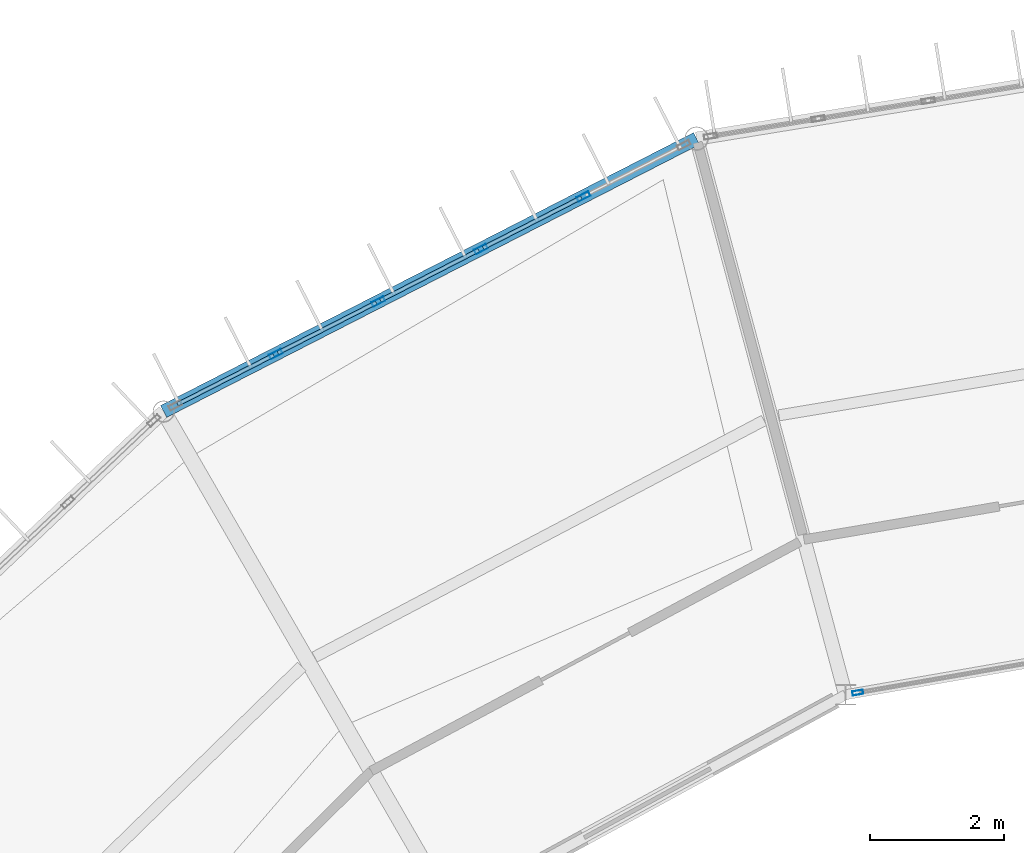
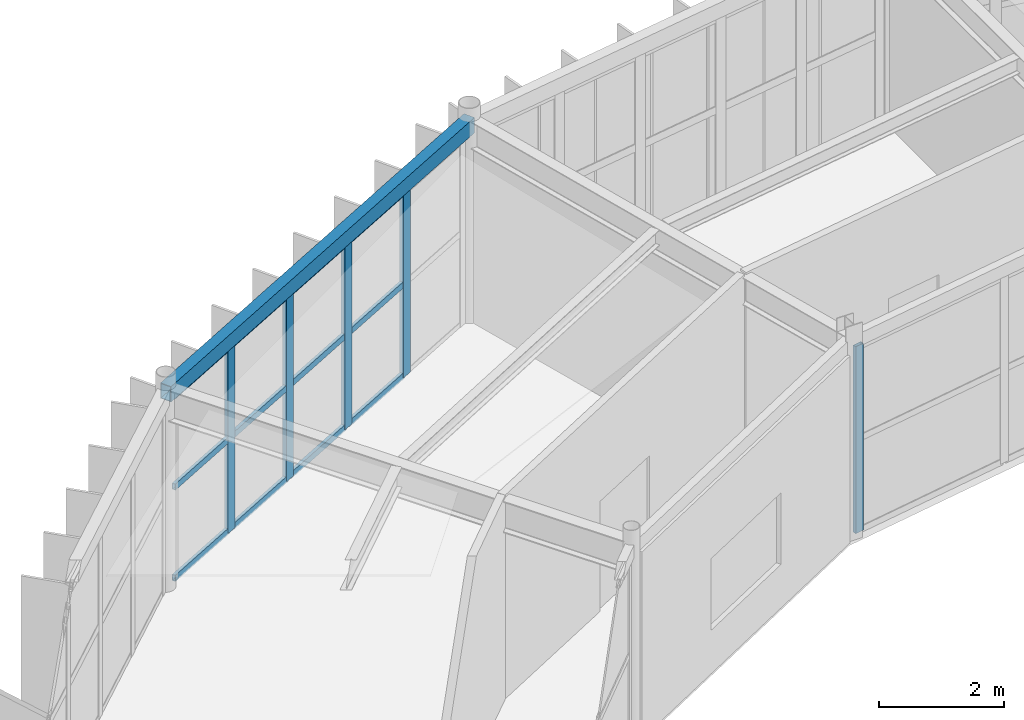
# One storey, part 78 of 148: 17 members, 1 beam, 2 elements without a shape of their own.
"""IFC4 building model written with IfcOpenShell, lengths in metres."""

from ifc_helpers import new_model, si_unit, direction, frame, origin, origin_2d, place, context, subcontext, project, spatial, hollow_rectangle, extrude, material, material_profile, profile_set, type_object, element, aggregate, save


model = new_model("IFC4")

# Units and contexts
model_context = context("Model", 3, precision=1e-05, world=origin(), true_north=direction((0.0, 1.0)))
body_context = subcontext(model_context, "Body", "Model", "MODEL_VIEW")
ifc_project = project(units=[si_unit("LENGTHUNIT", "METRE"), si_unit("AREAUNIT", "SQUARE_METRE"), si_unit("VOLUMEUNIT", "CUBIC_METRE"), si_unit("PLANEANGLEUNIT", "RADIAN"), si_unit("MASSUNIT", "GRAM", prefix="KILO")], contexts=[model_context])

# Site, building, storey
site_placement = place(None, origin())
site = spatial("IfcSite", under=ifc_project, at=site_placement, CompositionType="ELEMENT")
building_placement = place(site_placement, origin())
building = spatial("IfcBuilding", under=site, at=building_placement, Name="Karori Crest Natural Sciences Institute", CompositionType="ELEMENT")
storey_placement = place(building_placement, frame((0.0, 0.0, 4.89990234375)))
storey = spatial("IfcBuildingStorey", under=building, at=storey_placement, Name="L01", CompositionType="ELEMENT", Elevation=4.89990234375)

# Beam
ifc_material_1 = material(Name="Hollow structural steel AS/NZS 1163 Grade C350", Category="steel")
ifc_material_profile_1 = material_profile(ifc_material_1, hollow_rectangle(XDim=0.199951171875, YDim=0.300048828125, WallThickness=0.010009765625, at=origin_2d()), Name="RHS300x200x10")
ifc_profile_set_1 = profile_set([ifc_material_profile_1], Name="Hollow structural steel AS/NZS 1163 Grade C350")
beam_type = type_object("IfcBeamType", Name="BT-15", PredefinedType="SPANDREL", material=ifc_profile_set_1)
beam_placement = place(storey_placement, frame((57.85888671875, 89.309814453125, 3.7900390625), z_axis=(-0.890071733872, -0.455820478436, 0.0), x_axis=(0.455820478436, -0.890071733872, 0.0)))
element("IfcBeam", 1, at=beam_placement, inside=storey, type_object=beam_type, Name="Beam B-0207", PredefinedType="SPANDREL", context=body_context, shape_type="SweptSolid", body=[
    extrude(hollow_rectangle(XDim=0.199951171875, YDim=0.300048828125, WallThickness=0.010009765625, at=origin_2d()), origin(), (0.0, 0.0, 1.0), 8.94189453125),
])

# Curtain wall, member
ifc_material_2 = material(Name="Anodised architectural aluminium 6063-T6", Category="aluminium")
curtain_wall_type_1 = type_object("IfcCurtainWallType", Name="CWT-12", PredefinedType="NOTDEFINED", material=ifc_material_2)
curtain_wall_1_placement = place(storey_placement, origin())
curtain_wall_1 = element("IfcCurtainWall", 2, at=curtain_wall_1_placement, inside=storey, type_object=curtain_wall_type_1, Name="Curtain wall CW-0040", PredefinedType="NOTDEFINED")
ifc_material_profile_2 = material_profile(ifc_material_2, hollow_rectangle(XDim=0.06494140625, YDim=0.159912109375, WallThickness=0.00390625, at=origin_2d()), Name="CWM160x65x4")
ifc_profile_set_2 = profile_set([ifc_material_profile_2], Name="Anodised architectural aluminium 6063-T6")
member_type_1 = type_object("IfcMemberType", Name="CWM-01", PredefinedType="MULLION", material=ifc_profile_set_2)
member_1_placement = place(storey_placement, frame((60.267333984375, 81.03466796875, 0.0), z_axis=(0.0, 0.0, 1.0), x_axis=(0.171170381048, -0.985241442821, 0.0)))
member_1 = element("IfcMember", 3, at=member_1_placement, type_object=member_type_1, Name="CW-0040 mullion 3", PredefinedType="MULLION", context=body_context, shape_type="SweptSolid", body=[
    extrude(hollow_rectangle(XDim=0.06494140625, YDim=0.159912109375, WallThickness=0.00390625, at=origin_2d()), origin(), (0.0, 0.0, 1.0), 3.650146484375),
])
aggregate(curtain_wall_1, [member_1])

# Curtain wall, members
curtain_wall_type_2 = type_object("IfcCurtainWallType", Name="CWT-08", PredefinedType="NOTDEFINED", material=ifc_material_2)
curtain_wall_2_placement = place(storey_placement, origin())
curtain_wall_2 = element("IfcCurtainWall", 4, at=curtain_wall_2_placement, inside=storey, type_object=curtain_wall_type_2, Name="Curtain wall CW-0041", PredefinedType="NOTDEFINED")
ifc_material_profile_3 = material_profile(ifc_material_2, hollow_rectangle(XDim=0.074951171875, YDim=0.199951171875, WallThickness=0.0048828125, at=origin_2d()), Name="CWM200x75x5")
ifc_profile_set_3 = profile_set([ifc_material_profile_3], Name="Anodised architectural aluminium 6063-T6")
member_type_2 = type_object("IfcMemberType", Name="CWM-02", PredefinedType="MULLION", material=ifc_profile_set_3)
member_2_placement = place(storey_placement, frame((51.574462890625, 86.09130859375, 0.0), z_axis=(0.0, 0.0, 1.0), x_axis=(-0.455832988828, 0.890065326982, 0.0)))
member_2 = element("IfcMember", 5, at=member_2_placement, type_object=member_type_2, Name="CW-0041 mullion 2", PredefinedType="MULLION", context=body_context, shape_type="SweptSolid", body=[
    extrude(hollow_rectangle(XDim=0.074951171875, YDim=0.199951171875, WallThickness=0.0048828125, at=origin_2d()), origin(), (0.0, 0.0, 1.0), 3.625),
])
member_3_placement = place(storey_placement, frame((53.1064453125, 86.8759765625, 0.0), z_axis=(0.0, 0.0, 1.0), x_axis=(-0.455832988828, 0.890065326982, 0.0)))
member_3 = element("IfcMember", 6, at=member_3_placement, type_object=member_type_2, Name="CW-0041 mullion 3", PredefinedType="MULLION", context=body_context, shape_type="SweptSolid", body=[
    extrude(hollow_rectangle(XDim=0.074951171875, YDim=0.199951171875, WallThickness=0.0048828125, at=origin_2d()), origin(), (0.0, 0.0, 1.0), 3.625),
])
member_4_placement = place(storey_placement, frame((54.638427734375, 87.660400390625, 0.0), z_axis=(0.0, 0.0, 1.0), x_axis=(-0.455832988828, 0.890065326982, 0.0)))
member_4 = element("IfcMember", 7, at=member_4_placement, type_object=member_type_2, Name="CW-0041 mullion 4", PredefinedType="MULLION", context=body_context, shape_type="SweptSolid", body=[
    extrude(hollow_rectangle(XDim=0.074951171875, YDim=0.199951171875, WallThickness=0.0048828125, at=origin_2d()), origin(), (0.0, 0.0, 1.0), 3.625),
])
member_5_placement = place(storey_placement, frame((56.17041015625, 88.445068359375, 0.0), z_axis=(0.0, 0.0, 1.0), x_axis=(-0.455832988828, 0.890065326982, 0.0)))
member_5 = element("IfcMember", 8, at=member_5_placement, type_object=member_type_2, Name="CW-0041 mullion 5", PredefinedType="MULLION", context=body_context, shape_type="SweptSolid", body=[
    extrude(hollow_rectangle(XDim=0.074951171875, YDim=0.199951171875, WallThickness=0.0048828125, at=origin_2d()), origin(), (0.0, 0.0, 1.0), 3.625),
])
ifc_material_profile_4 = material_profile(ifc_material_2, hollow_rectangle(XDim=0.06005859375, YDim=0.1201171875, WallThickness=0.00390625, at=origin_2d()), Name="CWT120x60x4")
ifc_profile_set_4 = profile_set([ifc_material_profile_4], Name="Anodised architectural aluminium 6063-T6")
member_type_3 = type_object("IfcMemberType", Name="CWT-TR1", PredefinedType="USERDEFINED", material=ifc_profile_set_4)
member_6_placement = place(storey_placement, frame((50.109130859375, 85.3408203125, 0.030029296875), z_axis=(0.890044866674, 0.455872937679, 0.0), x_axis=(-0.455872937679, 0.890044866674, 0.0)))
member_6 = element("IfcMember", 9, at=member_6_placement, type_object=member_type_3, Name="CW-0041 transom 1.1", ObjectType="TRANSOM", PredefinedType="USERDEFINED", context=body_context, shape_type="SweptSolid", body=[
    extrude(hollow_rectangle(XDim=0.06005859375, YDim=0.1201171875, WallThickness=0.00390625, at=origin_2d()), origin(), (0.0, 0.0, 1.0), 1.60888671875),
])
member_7_placement = place(storey_placement, frame((50.109130859375, 85.3408203125, 1.8125), z_axis=(0.890044866674, 0.455872937679, 0.0), x_axis=(-0.455872937679, 0.890044866674, 0.0)))
member_7 = element("IfcMember", 10, at=member_7_placement, type_object=member_type_3, Name="CW-0041 transom 1.2", ObjectType="TRANSOM", PredefinedType="USERDEFINED", context=body_context, shape_type="SweptSolid", body=[
    extrude(hollow_rectangle(XDim=0.06005859375, YDim=0.1201171875, WallThickness=0.00390625, at=origin_2d()), origin(), (0.0, 0.0, 1.0), 1.60888671875),
])
member_8_placement = place(storey_placement, frame((50.109130859375, 85.3408203125, 3.59521484375), z_axis=(0.890044866674, 0.455872937679, 0.0), x_axis=(-0.455872937679, 0.890044866674, 0.0)))
member_8 = element("IfcMember", 11, at=member_8_placement, type_object=member_type_3, Name="CW-0041 transom 1.3", ObjectType="TRANSOM", PredefinedType="USERDEFINED", context=body_context, shape_type="SweptSolid", body=[
    extrude(hollow_rectangle(XDim=0.06005859375, YDim=0.1201171875, WallThickness=0.00390625, at=origin_2d()), origin(), (0.0, 0.0, 1.0), 1.60888671875),
])
member_9_placement = place(storey_placement, frame((51.60791015625, 86.1083984375, 0.030029296875), z_axis=(0.890024283327, 0.455913122304, 0.0), x_axis=(-0.455913122304, 0.890024283327, 0.0)))
member_9 = element("IfcMember", 12, at=member_9_placement, type_object=member_type_3, Name="CW-0041 transom 2.1", ObjectType="TRANSOM", PredefinedType="USERDEFINED", context=body_context, shape_type="SweptSolid", body=[
    extrude(hollow_rectangle(XDim=0.06005859375, YDim=0.1201171875, WallThickness=0.00390625, at=origin_2d()), origin(), (0.0, 0.0, 1.0), 1.646240234375),
])
member_10_placement = place(storey_placement, frame((51.60791015625, 86.1083984375, 1.8125), z_axis=(0.890024283327, 0.455913122304, 0.0), x_axis=(-0.455913122304, 0.890024283327, 0.0)))
member_10 = element("IfcMember", 13, at=member_10_placement, type_object=member_type_3, Name="CW-0041 transom 2.2", ObjectType="TRANSOM", PredefinedType="USERDEFINED", context=body_context, shape_type="SweptSolid", body=[
    extrude(hollow_rectangle(XDim=0.06005859375, YDim=0.1201171875, WallThickness=0.00390625, at=origin_2d()), origin(), (0.0, 0.0, 1.0), 1.646240234375),
])
member_11_placement = place(storey_placement, frame((51.60791015625, 86.1083984375, 3.59521484375), z_axis=(0.890024283327, 0.455913122304, 0.0), x_axis=(-0.455913122304, 0.890024283327, 0.0)))
member_11 = element("IfcMember", 14, at=member_11_placement, type_object=member_type_3, Name="CW-0041 transom 2.3", ObjectType="TRANSOM", PredefinedType="USERDEFINED", context=body_context, shape_type="SweptSolid", body=[
    extrude(hollow_rectangle(XDim=0.06005859375, YDim=0.1201171875, WallThickness=0.00390625, at=origin_2d()), origin(), (0.0, 0.0, 1.0), 1.646240234375),
])
member_12_placement = place(storey_placement, frame((53.139892578125, 86.89306640625, 0.030029296875), z_axis=(0.890084461025, 0.455795625518, 0.0), x_axis=(-0.455795625518, 0.890084461025, 0.0)))
member_12 = element("IfcMember", 15, at=member_12_placement, type_object=member_type_3, Name="CW-0041 transom 3.1", ObjectType="TRANSOM", PredefinedType="USERDEFINED", context=body_context, shape_type="SweptSolid", body=[
    extrude(hollow_rectangle(XDim=0.06005859375, YDim=0.1201171875, WallThickness=0.00390625, at=origin_2d()), origin(), (0.0, 0.0, 1.0), 1.64599609375),
])
member_13_placement = place(storey_placement, frame((53.139892578125, 86.89306640625, 1.8125), z_axis=(0.890084461025, 0.455795625518, 0.0), x_axis=(-0.455795625518, 0.890084461025, 0.0)))
member_13 = element("IfcMember", 16, at=member_13_placement, type_object=member_type_3, Name="CW-0041 transom 3.2", ObjectType="TRANSOM", PredefinedType="USERDEFINED", context=body_context, shape_type="SweptSolid", body=[
    extrude(hollow_rectangle(XDim=0.06005859375, YDim=0.1201171875, WallThickness=0.00390625, at=origin_2d()), origin(), (0.0, 0.0, 1.0), 1.64599609375),
])
member_14_placement = place(storey_placement, frame((53.139892578125, 86.89306640625, 3.59521484375), z_axis=(0.890084461025, 0.455795625518, 0.0), x_axis=(-0.455795625518, 0.890084461025, 0.0)))
member_14 = element("IfcMember", 17, at=member_14_placement, type_object=member_type_3, Name="CW-0041 transom 3.3", ObjectType="TRANSOM", PredefinedType="USERDEFINED", context=body_context, shape_type="SweptSolid", body=[
    extrude(hollow_rectangle(XDim=0.06005859375, YDim=0.1201171875, WallThickness=0.00390625, at=origin_2d()), origin(), (0.0, 0.0, 1.0), 1.64599609375),
])
member_15_placement = place(storey_placement, frame((54.671875, 87.677490234375, 0.030029296875), z_axis=(0.890055105015, 0.45585294782, 0.0), x_axis=(-0.45585294782, 0.890055105015, 0.0)))
member_15 = element("IfcMember", 18, at=member_15_placement, type_object=member_type_3, Name="CW-0041 transom 4.1", ObjectType="TRANSOM", PredefinedType="USERDEFINED", context=body_context, shape_type="SweptSolid", body=[
    extrude(hollow_rectangle(XDim=0.06005859375, YDim=0.1201171875, WallThickness=0.00390625, at=origin_2d()), origin(), (0.0, 0.0, 1.0), 1.646240234375),
])
member_16_placement = place(storey_placement, frame((54.671875, 87.677490234375, 1.8125), z_axis=(0.890055105015, 0.45585294782, 0.0), x_axis=(-0.45585294782, 0.890055105015, 0.0)))
member_16 = element("IfcMember", 19, at=member_16_placement, type_object=member_type_3, Name="CW-0041 transom 4.2", ObjectType="TRANSOM", PredefinedType="USERDEFINED", context=body_context, shape_type="SweptSolid", body=[
    extrude(hollow_rectangle(XDim=0.06005859375, YDim=0.1201171875, WallThickness=0.00390625, at=origin_2d()), origin(), (0.0, 0.0, 1.0), 1.646240234375),
])
member_17_placement = place(storey_placement, frame((54.671875, 87.677490234375, 3.59521484375), z_axis=(0.890055105015, 0.45585294782, 0.0), x_axis=(-0.45585294782, 0.890055105015, 0.0)))
member_17 = element("IfcMember", 20, at=member_17_placement, type_object=member_type_3, Name="CW-0041 transom 4.3", ObjectType="TRANSOM", PredefinedType="USERDEFINED", context=body_context, shape_type="SweptSolid", body=[
    extrude(hollow_rectangle(XDim=0.06005859375, YDim=0.1201171875, WallThickness=0.00390625, at=origin_2d()), origin(), (0.0, 0.0, 1.0), 1.646240234375),
])
aggregate(curtain_wall_2, [member_2, member_3, member_4, member_5, member_6, member_7, member_8, member_9, member_10, member_11, member_12, member_13, member_14, member_15, member_16, member_17])

save(model, "model.ifc")
